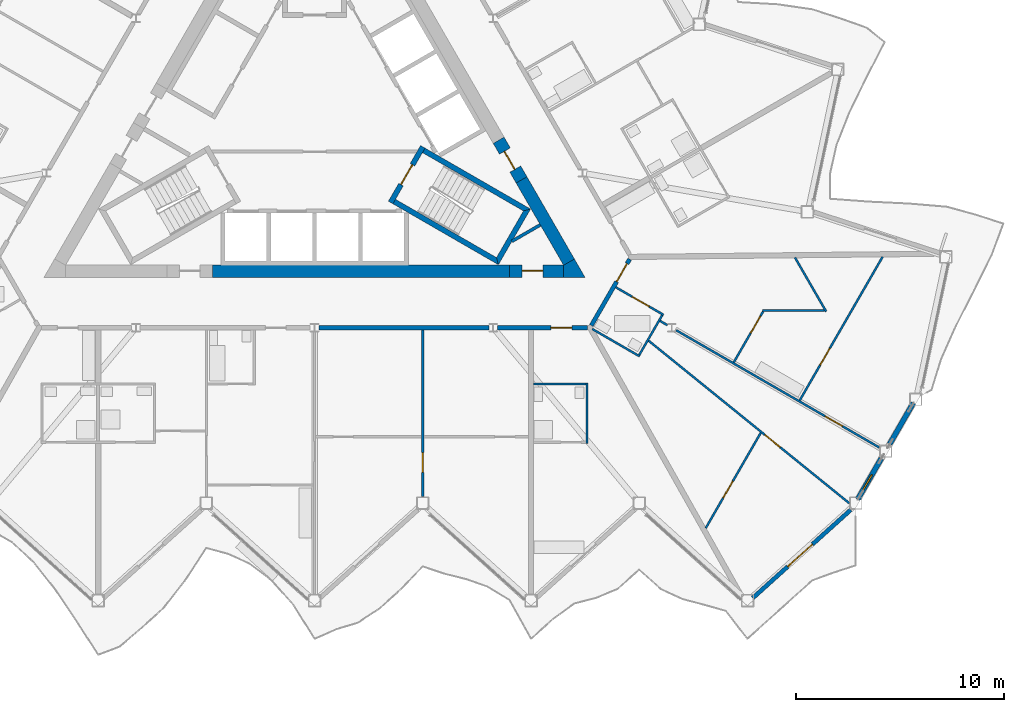
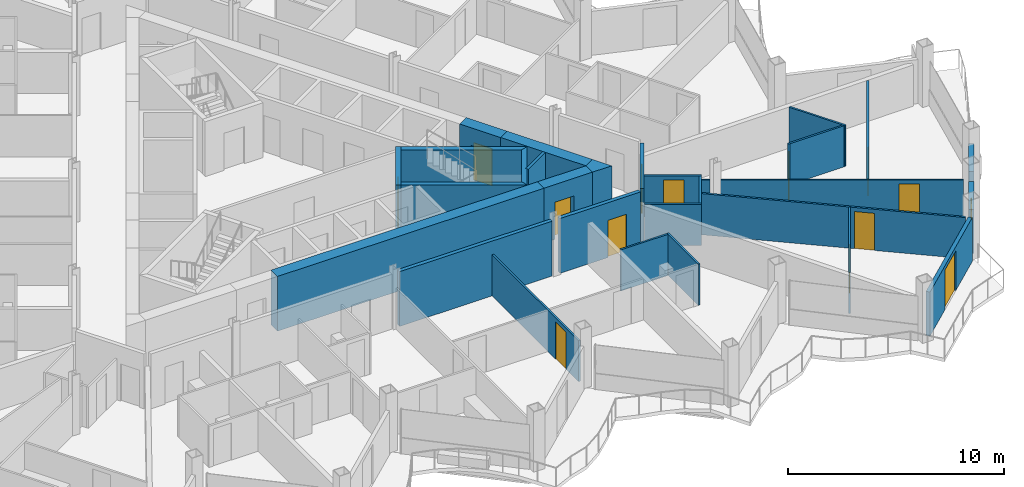
# One storey, part 16 of 27: 30 walls, 13 doors, 1 window, 14 openings.
"""IFC4 building model written with IfcOpenShell, lengths in metres."""

from ifc_helpers import new_model, si_unit, direction, frame, frame_2d, origin, place, context, subcontext, project, spatial, polyline, rectangle, outline, extrude, material, layer, layer_set, type_object, element, fill, save


model = new_model("IFC4")

# Units and contexts
model_context = context("Model", 3, precision=1e-05, world=origin(), true_north=direction((0.0, 1.0)))
body_context = subcontext(model_context, "Body", "Model", "MODEL_VIEW")
ifc_project = project(units=[si_unit("LENGTHUNIT", "METRE"), si_unit("AREAUNIT", "SQUARE_METRE"), si_unit("VOLUMEUNIT", "CUBIC_METRE"), si_unit("PLANEANGLEUNIT", "RADIAN"), si_unit("MASSUNIT", "GRAM", prefix="KILO")], contexts=[model_context])

# Site, building, storey
site_placement = place(None, origin())
site = spatial("IfcSite", under=ifc_project, at=site_placement, CompositionType="ELEMENT")
building_placement = place(site_placement, origin())
building = spatial("IfcBuilding", under=site, at=building_placement, Name="Cormorant Prow Tower", CompositionType="ELEMENT")
storey_placement = place(building_placement, frame((0.0, 0.0, 332.39990234375)))
storey = spatial("IfcBuildingStorey", under=building, at=storey_placement, Name="L74", CompositionType="ELEMENT", Elevation=332.39990234375)

# Walls
ifc_material_1 = material(Name="Gypsum board partition")
ifc_layer_1 = layer(ifc_material_1, 0.14990234375)
ifc_layer_set_1 = layer_set([ifc_layer_1], Name="Gypsum board partition")
wall_type_1 = type_object("IfcWallType", Name="Core partition 150", PredefinedType="PARTITIONING", material=ifc_layer_set_1)
wall_1_placement = place(storey_placement, frame((10.841796875, -4.96728515625, 0.0), z_axis=(0.0, 0.0, 1.0), x_axis=(-0.866098216386, -0.499873863663, 0.0)))
element("IfcWall", 1, at=wall_1_placement, inside=storey, type_object=wall_type_1, Name="Service room partition", PredefinedType="PARTITIONING", context=body_context, shape_type="SweptSolid", body=[
    extrude(rectangle(XDim=1.58203125, YDim=0.14990234375, at=frame_2d((0.791015625, 0.0))), origin(), (0.0, 0.0, 1.0), 3.10009765625),
])
ifc_material_2 = material(Name="Concrete 8000 psi", Category="concrete")
ifc_layer_2 = layer(ifc_material_2, 0.60009765625)
ifc_layer_set_2 = layer_set([ifc_layer_2], Name="Concrete 8000 psi")
wall_type_2 = type_object("IfcWallType", Name="Core shear wall 600", PredefinedType="SHEAR", material=ifc_layer_set_2)
wall_2_placement = place(storey_placement, frame((-4.89208984375, -7.20556640625, 0.0), z_axis=(0.0, 0.0, 1.0), x_axis=(1.0, 0.0, 0.0)))
element("IfcWall", 2, at=wall_2_placement, inside=storey, type_object=wall_type_2, Name="Core wall", PredefinedType="SHEAR", context=body_context, shape_type="SweptSolid", body=[
    extrude(rectangle(XDim=14.2607421875, YDim=0.60009765625, at=frame_2d((7.13037109375, 0.0))), origin(), (0.0, 0.0, 1.0), 3.10009765625),
])
wall_3_placement = place(storey_placement, frame((12.220703125, -6.755615234375, 0.0), z_axis=(0.0, 0.0, 1.0), x_axis=(-0.500020646047, 0.866013483456, 0.0)))
element("IfcWall", 3, at=wall_3_placement, inside=storey, type_object=wall_type_2, Name="Core wall", PredefinedType="SHEAR", context=body_context, shape_type="SweptSolid", body=[
    extrude(rectangle(XDim=4.559326171875, YDim=0.60009765625, at=frame_2d((2.27978515625, 0.0))), origin(), (0.0, 0.0, 1.0), 3.10009765625),
])
wall_4_placement = place(storey_placement, origin())
element("IfcWall", 4, at=wall_4_placement, inside=storey, type_object=wall_type_2, Name="Core wall corner", PredefinedType="SHEAR", context=body_context, shape_type="SweptSolid", body=[
    extrude(outline(polyline([(11.960693359375, -7.505615234375), (11.960693359375, -6.905517578125), (12.48046875, -6.605712890625), (13.0, -7.505615234375), (11.960693359375, -7.505615234375)])), origin(), (0.0, 0.0, 1.0), 3.10009765625),
])

# Wall, opening, door
wall_5_placement = place(storey_placement, frame((9.36865234375, -7.20556640625, 0.0), z_axis=(0.0, 0.0, 1.0), x_axis=(1.0, 0.0, 0.0)))
wall_5 = element("IfcWall", 5, at=wall_5_placement, inside=storey, type_object=wall_type_2, Name="Core wall door panel", PredefinedType="SHEAR", context=body_context, shape_type="SweptSolid", body=[
    extrude(rectangle(XDim=2.592041015625, YDim=0.60009765625, at=frame_2d((1.2958984375, 0.0))), origin(), (0.0, 0.0, 1.0), 3.10009765625),
])
opening_1_placement = place(wall_5_placement, frame((0.60009765625, 0.0, 0.0)))
opening_1 = element("IfcOpeningElement", 6, at=opening_1_placement, cuts=wall_5, Name="Opening L74-C15", PredefinedType="OPENING", context=body_context, shape_type="SweptSolid", body=[
    extrude(rectangle(XDim=1.0, YDim=2.10009765625, at=frame_2d((0.5, 1.050048828125))), frame((0.0, 0.31005859375, 0.0), z_axis=(0.0, -1.0, 0.0), x_axis=(1.0, 0.0, 0.0)), (0.0, 0.0, 1.0), 0.6201171875),
])
ifc_material_3 = material(Name="Painted steel", Category="steel")
door_type_1 = type_object("IfcDoorType", Name="Service door 1000x2100", OperationType="NOTDEFINED", PredefinedType="DOOR", material=ifc_material_3)
door_1_placement = place(opening_1_placement, origin())
door_1 = element("IfcDoor", 7, at=door_1_placement, inside=storey, type_object=door_type_1, Name="Core door, Telecom room", OperationType="SINGLE_SWING_RIGHT", OverallHeight=2.10009765625, OverallWidth=1.0, PredefinedType="DOOR", context=body_context, shape_type="SweptSolid", body=[
    extrude(rectangle(XDim=1.0, YDim=2.10009765625, at=frame_2d((0.5, 1.050048828125))), frame((0.0, 0.05517578125, 0.0), z_axis=(0.0, -1.0, 0.0), x_axis=(1.0, 0.0, 0.0)), (0.0, 0.0, 1.0), 0.050048828125),
])
fill(opening_1, door_1)

wall_6_placement = place(storey_placement, frame((9.94091796875, -2.80712890625, 0.0), z_axis=(0.0, 0.0, 1.0), x_axis=(-0.499994660107, 0.866028486751, 0.0)))
wall_6 = element("IfcWall", 8, at=wall_6_placement, inside=storey, type_object=wall_type_2, Name="Core wall door panel", PredefinedType="SHEAR", context=body_context, shape_type="SweptSolid", body=[
    extrude(rectangle(XDim=2.19970703125, YDim=0.60009765625, at=frame_2d((1.099853515625, 0.0))), origin(), (0.0, 0.0, 1.0), 3.10009765625),
])
opening_2_placement = place(wall_6_placement, frame((0.60009765625, 0.0, 0.0)))
opening_2 = element("IfcOpeningElement", 9, at=opening_2_placement, cuts=wall_6, Name="Opening L74-C17", PredefinedType="OPENING", context=body_context, shape_type="SweptSolid", body=[
    extrude(rectangle(XDim=1.0, YDim=2.10009765625, at=frame_2d((0.5, 1.050048828125))), frame((0.0, 0.31005859375, 0.0), z_axis=(0.0, -1.0, 0.0), x_axis=(1.0, 0.0, 0.0)), (0.0, 0.0, 1.0), 0.6201171875),
])
door_2_placement = place(opening_2_placement, origin())
door_2 = element("IfcDoor", 10, at=door_2_placement, inside=storey, type_object=door_type_1, Name="Core door, Electrical room", OperationType="SINGLE_SWING_LEFT", OverallHeight=2.10009765625, OverallWidth=1.0, PredefinedType="DOOR", context=body_context, shape_type="SweptSolid", body=[
    extrude(rectangle(XDim=1.0, YDim=2.10009765625, at=frame_2d((0.5, 1.050048828125))), frame((0.0, 0.05517578125, 0.0), z_axis=(0.0, -1.0, 0.0), x_axis=(1.0, 0.0, 0.0)), (0.0, 0.0, 1.0), 0.050048828125),
])
fill(opening_2, door_2)

# Wall
ifc_material_4 = material(Name="Gypsum board corridor wall")
ifc_layer_3 = layer(ifc_material_4, 0.199951171875)
ifc_layer_set_3 = layer_set([ifc_layer_3], Name="Gypsum board corridor wall")
wall_type_3 = type_object("IfcWallType", Name="Corridor wall 200", PredefinedType="PARTITIONING", material=ifc_layer_set_3)
wall_7_placement = place(storey_placement, frame((0.207763671875, -9.905517578125, 0.0), z_axis=(0.0, 0.0, 1.0), x_axis=(1.0, 0.0, 0.0)))
element("IfcWall", 11, at=wall_7_placement, inside=storey, type_object=wall_type_3, Name="Corridor wall", PredefinedType="PARTITIONING", context=body_context, shape_type="SweptSolid", body=[
    extrude(rectangle(XDim=8.1630859375, YDim=0.199951171875, at=frame_2d((4.08154296875, 0.0))), origin(), (0.0, 0.0, 1.0), 3.10009765625),
])

# Wall, opening, door
wall_8_placement = place(storey_placement, frame((8.7861328125, -9.905517578125, 0.0), z_axis=(0.0, 0.0, 1.0), x_axis=(1.0, 0.0, 0.0)))
wall_8 = element("IfcWall", 12, at=wall_8_placement, inside=storey, type_object=wall_type_3, Name="Corridor wall", PredefinedType="PARTITIONING", context=body_context, shape_type="SweptSolid", body=[
    extrude(rectangle(XDim=4.31982421875, YDim=0.199951171875, at=frame_2d((2.159912109375, 0.0))), origin(), (0.0, 0.0, 1.0), 3.10009765625),
])
opening_3_placement = place(wall_8_placement, frame((2.566162109375, 0.0, 0.0)))
opening_3 = element("IfcOpeningElement", 13, at=opening_3_placement, cuts=wall_8, Name="Opening L74-F13", PredefinedType="OPENING", context=body_context, shape_type="SweptSolid", body=[
    extrude(rectangle(XDim=1.0, YDim=2.10009765625, at=frame_2d((0.5, 1.050048828125))), frame((0.0, 0.10986328125, 0.0), z_axis=(0.0, -1.0, 0.0), x_axis=(1.0, 0.0, 0.0)), (0.0, 0.0, 1.0), 0.219970703125),
])
ifc_material_5 = material(Name="Timber door leaf", Category="wood")
door_type_2 = type_object("IfcDoorType", Name="Flat or room entrance door 1000x2100", OperationType="NOTDEFINED", PredefinedType="DOOR", material=ifc_material_5)
door_3_placement = place(opening_3_placement, origin())
door_3 = element("IfcDoor", 14, at=door_3_placement, inside=storey, type_object=door_type_2, Name="Studio living, kitchen and sleeping room door", OperationType="SINGLE_SWING_RIGHT", OverallHeight=2.10009765625, OverallWidth=1.0, PredefinedType="DOOR", context=body_context, shape_type="SweptSolid", body=[
    extrude(rectangle(XDim=1.0, YDim=2.10009765625, at=frame_2d((0.5, 1.050048828125))), frame((0.0, 0.02490234375, 0.0), z_axis=(0.0, -1.0, 0.0), x_axis=(1.0, 0.0, 0.0)), (0.0, 0.0, 1.0), 0.050048828125),
])
fill(opening_3, door_3)

wall_9_placement = place(storey_placement, frame((13.29345703125, -9.79736328125, 0.0), z_axis=(0.0, 0.0, 1.0), x_axis=(0.499967746641, 0.866044024469, 0.0)))
wall_9 = element("IfcWall", 15, at=wall_9_placement, inside=storey, type_object=wall_type_3, Name="Corridor wall", PredefinedType="PARTITIONING", context=body_context, shape_type="SweptSolid", body=[
    extrude(rectangle(XDim=3.676025390625, YDim=0.199951171875, at=frame_2d((1.837890625, 0.0))), origin(), (0.0, 0.0, 1.0), 3.10009765625),
])
opening_4_placement = place(wall_9_placement, frame((2.426025390625, 0.0, 0.0)))
opening_4 = element("IfcOpeningElement", 16, at=opening_4_placement, cuts=wall_9, Name="Opening L74-F15", PredefinedType="OPENING", context=body_context, shape_type="SweptSolid", body=[
    extrude(rectangle(XDim=1.0, YDim=2.10009765625, at=frame_2d((0.5, 1.050048828125))), frame((0.0, 0.10986328125, 0.0), z_axis=(0.0, -1.0, 0.0), x_axis=(1.0, 0.0, 0.0)), (0.0, 0.0, 1.0), 0.219970703125),
])
door_4_placement = place(opening_4_placement, origin())
door_4 = element("IfcDoor", 17, at=door_4_placement, inside=storey, type_object=door_type_2, Name="Living room door", OperationType="SINGLE_SWING_RIGHT", OverallHeight=2.10009765625, OverallWidth=1.0, PredefinedType="DOOR", context=body_context, shape_type="SweptSolid", body=[
    extrude(rectangle(XDim=1.0, YDim=2.10009765625, at=frame_2d((0.5, 1.050048828125))), frame((0.0, 0.02490234375, 0.0), z_axis=(0.0, -1.0, 0.0), x_axis=(1.0, 0.0, 0.0)), (0.0, 0.0, 1.0), 0.050048828125),
])
fill(opening_4, door_4)

ifc_material_6 = material(Name="Gypsum board partition")
ifc_layer_4 = layer(ifc_material_6, 0.10009765625)
ifc_layer_set_4 = layer_set([ifc_layer_4], Name="Gypsum board partition")
wall_type_4 = type_object("IfcWallType", Name="Internal partition 100", PredefinedType="PARTITIONING", material=ifc_layer_set_4)
wall_10_placement = place(storey_placement, frame((16.04443359375, -10.531005859375, 0.0), z_axis=(0.0, 0.0, 1.0), x_axis=(0.777141742697, -0.629325600749, 0.0)))
wall_10 = element("IfcWall", 18, at=wall_10_placement, inside=storey, type_object=wall_type_4, Name="Internal partition", PredefinedType="PARTITIONING", context=body_context, shape_type="SweptSolid", body=[
    extrude(rectangle(XDim=12.405517578125, YDim=0.10009765625, at=frame_2d((6.20263671875, 0.0))), origin(), (0.0, 0.0, 1.0), 2.330078125),
])
opening_5_placement = place(wall_10_placement, frame((7.18505859375, 0.0, 0.0)))
opening_5 = element("IfcOpeningElement", 19, at=opening_5_placement, cuts=wall_10, Name="Opening L74-F20", PredefinedType="OPENING", context=body_context, shape_type="SweptSolid", body=[
    extrude(rectangle(XDim=0.949951171875, YDim=2.10009765625, at=frame_2d((0.47509765625, 1.050048828125))), frame((0.0, 0.06005859375, 0.0), z_axis=(0.0, -1.0, 0.0), x_axis=(1.0, 0.0, 0.0)), (0.0, 0.0, 1.0), 0.1201171875),
])
ifc_material_7 = material(Name="Timber door leaf", Category="wood")
door_type_3 = type_object("IfcDoorType", Name="Bathroom door 950x2100", OperationType="NOTDEFINED", PredefinedType="DOOR", material=ifc_material_7)
door_5_placement = place(opening_5_placement, origin())
door_5 = element("IfcDoor", 20, at=door_5_placement, inside=storey, type_object=door_type_3, Name="Bedroom door", OperationType="SINGLE_SWING_LEFT", OverallHeight=2.10009765625, OverallWidth=0.949951171875, PredefinedType="DOOR", context=body_context, shape_type="SweptSolid", body=[
    extrude(rectangle(XDim=0.949951171875, YDim=2.10009765625, at=frame_2d((0.47509765625, 1.050048828125))), frame((0.0, 0.02490234375, 0.0), z_axis=(0.0, -1.0, 0.0), x_axis=(1.0, 0.0, 0.0)), (0.0, 0.0, 1.0), 0.050048828125),
])
fill(opening_5, door_5)

wall_11_placement = place(storey_placement, frame((17.364501953125, -10.025390625, 0.0), z_axis=(0.0, 0.0, 1.0), x_axis=(0.866021046153, -0.500007547564, 0.0)))
wall_11 = element("IfcWall", 21, at=wall_11_placement, inside=storey, type_object=wall_type_4, Name="Internal partition", PredefinedType="PARTITIONING", context=body_context, shape_type="SweptSolid", body=[
    extrude(rectangle(XDim=11.267333984375, YDim=0.10009765625, at=frame_2d((5.6337890625, 0.0))), origin(), (0.0, 0.0, 1.0), 2.330078125),
])
opening_6_placement = place(wall_11_placement, frame((8.263916015625, 0.0, 0.0)))
opening_6 = element("IfcOpeningElement", 22, at=opening_6_placement, cuts=wall_11, Name="Opening L74-F19", PredefinedType="OPENING", context=body_context, shape_type="SweptSolid", body=[
    extrude(rectangle(XDim=0.949951171875, YDim=2.10009765625, at=frame_2d((0.47509765625, 1.050048828125))), frame((0.0, 0.06005859375, 0.0), z_axis=(0.0, -1.0, 0.0), x_axis=(1.0, 0.0, 0.0)), (0.0, 0.0, 1.0), 0.1201171875),
])
door_6_placement = place(opening_6_placement, origin())
door_6 = element("IfcDoor", 23, at=door_6_placement, inside=storey, type_object=door_type_3, Name="Dining room door", OperationType="SINGLE_SWING_LEFT", OverallHeight=2.10009765625, OverallWidth=0.949951171875, PredefinedType="DOOR", context=body_context, shape_type="SweptSolid", body=[
    extrude(rectangle(XDim=0.949951171875, YDim=2.10009765625, at=frame_2d((0.47509765625, 1.050048828125))), frame((0.0, 0.02490234375, 0.0), z_axis=(0.0, -1.0, 0.0), x_axis=(1.0, 0.0, 0.0)), (0.0, 0.0, 1.0), 0.050048828125),
])
fill(opening_6, door_6)

wall_12_placement = place(storey_placement, frame((5.1962890625, -18.016845703125, 0.0), z_axis=(0.0, 0.0, 1.0), x_axis=(0.0, 1.0, 0.0)))
wall_12 = element("IfcWall", 24, at=wall_12_placement, inside=storey, type_object=wall_type_4, Name="Internal partition", PredefinedType="PARTITIONING", context=body_context, shape_type="SweptSolid", body=[
    extrude(rectangle(XDim=8.01123046875, YDim=0.10009765625, at=frame_2d((4.005615234375, 0.0))), origin(), (0.0, 0.0, 1.0), 2.330078125),
])
opening_7_placement = place(wall_12_placement, frame((1.158447265625, 0.0, 0.0)))
opening_7 = element("IfcOpeningElement", 25, at=opening_7_placement, cuts=wall_12, Name="Opening L74-F10", PredefinedType="OPENING", context=body_context, shape_type="SweptSolid", body=[
    extrude(rectangle(XDim=0.949951171875, YDim=2.10009765625, at=frame_2d((0.47509765625, 1.050048828125))), frame((0.0, 0.06005859375, 0.0), z_axis=(0.0, -1.0, 0.0), x_axis=(1.0, 0.0, 0.0)), (0.0, 0.0, 1.0), 0.1201171875),
])
door_7_placement = place(opening_7_placement, origin())
door_7 = element("IfcDoor", 26, at=door_7_placement, inside=storey, type_object=door_type_3, Name="Bedroom door", OperationType="SINGLE_SWING_RIGHT", OverallHeight=2.10009765625, OverallWidth=0.949951171875, PredefinedType="DOOR", context=body_context, shape_type="SweptSolid", body=[
    extrude(rectangle(XDim=0.949951171875, YDim=2.10009765625, at=frame_2d((0.47509765625, 1.050048828125))), frame((0.0, 0.02490234375, 0.0), z_axis=(0.0, -1.0, 0.0), x_axis=(1.0, 0.0, 0.0)), (0.0, 0.0, 1.0), 0.050048828125),
])
fill(opening_7, door_7)

wall_13_placement = place(storey_placement, frame((23.30078125, -13.39501953125, 0.0), z_axis=(0.0, 0.0, 1.0), x_axis=(0.500017325895, 0.866015400443, 0.0)))
wall_13 = element("IfcWall", 27, at=wall_13_placement, inside=storey, type_object=wall_type_4, Name="Internal partition", PredefinedType="PARTITIONING", context=body_context, shape_type="SweptSolid", body=[
    extrude(rectangle(XDim=7.955322265625, YDim=0.10009765625, at=frame_2d((3.9775390625, 0.0))), origin(), (0.0, 0.0, 1.0), 2.330078125),
])
opening_8_placement = place(wall_13_placement, frame((1.951416015625, 0.0, 0.0)))
opening_8 = element("IfcOpeningElement", 28, at=opening_8_placement, cuts=wall_13, Name="Opening L74-F18", PredefinedType="OPENING", context=body_context, shape_type="SweptSolid", body=[
    extrude(rectangle(XDim=0.949951171875, YDim=2.10009765625, at=frame_2d((0.47509765625, 1.050048828125))), frame((0.0, 0.06005859375, 0.0), z_axis=(0.0, -1.0, 0.0), x_axis=(1.0, 0.0, 0.0)), (0.0, 0.0, 1.0), 0.1201171875),
])
door_8_placement = place(opening_8_placement, origin())
door_8 = element("IfcDoor", 29, at=door_8_placement, inside=storey, type_object=door_type_3, Name="Kitchen door", OperationType="SINGLE_SWING_LEFT", OverallHeight=2.10009765625, OverallWidth=0.949951171875, PredefinedType="DOOR", context=body_context, shape_type="SweptSolid", body=[
    extrude(rectangle(XDim=0.949951171875, YDim=2.10009765625, at=frame_2d((0.47509765625, 1.050048828125))), frame((0.0, 0.02490234375, 0.0), z_axis=(0.0, -1.0, 0.0), x_axis=(1.0, 0.0, 0.0)), (0.0, 0.0, 1.0), 0.050048828125),
])
fill(opening_8, door_8)

wall_14_placement = place(storey_placement, frame((18.786865234375, -19.52880859375, 0.0), z_axis=(0.0, 0.0, 1.0), x_axis=(0.499986503906, 0.866033195618, 0.0)))
wall_14 = element("IfcWall", 30, at=wall_14_placement, inside=storey, type_object=wall_type_4, Name="Internal partition", PredefinedType="PARTITIONING", context=body_context, shape_type="SweptSolid", body=[
    extrude(rectangle(XDim=5.282470703125, YDim=0.10009765625, at=frame_2d((2.64111328125, 0.0))), origin(), (0.0, 0.0, 1.0), 2.330078125),
])
opening_9_placement = place(wall_14_placement, frame((1.661865234375, 0.0, 0.0)))
opening_9 = element("IfcOpeningElement", 31, at=opening_9_placement, cuts=wall_14, Name="Opening L74-F21", PredefinedType="OPENING", context=body_context, shape_type="SweptSolid", body=[
    extrude(rectangle(XDim=0.949951171875, YDim=2.10009765625, at=frame_2d((0.47509765625, 1.050048828125))), frame((0.0, 0.06005859375, 0.0), z_axis=(0.0, -1.0, 0.0), x_axis=(1.0, 0.0, 0.0)), (0.0, 0.0, 1.0), 0.1201171875),
])
door_9_placement = place(opening_9_placement, origin())
door_9 = element("IfcDoor", 32, at=door_9_placement, inside=storey, type_object=door_type_3, Name="Bedroom door", OperationType="SINGLE_SWING_RIGHT", OverallHeight=2.10009765625, OverallWidth=0.949951171875, PredefinedType="DOOR", context=body_context, shape_type="SweptSolid", body=[
    extrude(rectangle(XDim=0.949951171875, YDim=2.10009765625, at=frame_2d((0.47509765625, 1.050048828125))), frame((0.0, 0.02490234375, 0.0), z_axis=(0.0, -1.0, 0.0), x_axis=(1.0, 0.0, 0.0)), (0.0, 0.0, 1.0), 0.050048828125),
])
fill(opening_9, door_9)

# Walls
wall_15_placement = place(storey_placement, frame((23.071533203125, -6.533203125, 0.0), z_axis=(0.0, 0.0, 1.0), x_axis=(0.500009026289, -0.866020192391, 0.0)))
element("IfcWall", 33, at=wall_15_placement, inside=storey, type_object=wall_type_4, Name="Internal partition", PredefinedType="PARTITIONING", context=body_context, shape_type="SweptSolid", body=[
    extrude(rectangle(XDim=2.9990234375, YDim=0.10009765625, at=frame_2d((1.49951171875, 0.0))), origin(), (0.0, 0.0, 1.0), 2.330078125),
])
wall_16_placement = place(storey_placement, frame((21.51513671875, -9.087158203125, 0.0), z_axis=(0.0, 0.0, 1.0), x_axis=(1.0, 0.0, 0.0)))
element("IfcWall", 34, at=wall_16_placement, inside=storey, type_object=wall_type_4, Name="Internal partition", PredefinedType="PARTITIONING", context=body_context, shape_type="SweptSolid", body=[
    extrude(rectangle(XDim=2.98095703125, YDim=0.10009765625, at=frame_2d((1.490478515625, 0.0))), origin(), (0.0, 0.0, 1.0), 2.330078125),
])

# Wall, opening, door
wall_17_placement = place(storey_placement, frame((20.1337890625, -11.56640625, 0.0), z_axis=(0.0, 0.0, 1.0), x_axis=(0.499947857008, 0.866055506462, 0.0)))
wall_17 = element("IfcWall", 35, at=wall_17_placement, inside=storey, type_object=wall_type_4, Name="Internal partition", PredefinedType="PARTITIONING", context=body_context, shape_type="SweptSolid", body=[
    extrude(rectangle(XDim=2.812744140625, YDim=0.10009765625, at=frame_2d((1.40625, 0.0))), origin(), (0.0, 0.0, 1.0), 2.330078125),
])
opening_10_placement = place(wall_17_placement, frame((1.613037109375, 0.0, 0.0)))
opening_10 = element("IfcOpeningElement", 36, at=opening_10_placement, cuts=wall_17, Name="Opening L74-F17", PredefinedType="OPENING", context=body_context, shape_type="SweptSolid", body=[
    extrude(rectangle(XDim=0.949951171875, YDim=2.10009765625, at=frame_2d((0.47509765625, 1.050048828125))), frame((0.0, 0.06005859375, 0.0), z_axis=(0.0, -1.0, 0.0), x_axis=(1.0, 0.0, 0.0)), (0.0, 0.0, 1.0), 0.1201171875),
])
door_10_placement = place(opening_10_placement, origin())
door_10 = element("IfcDoor", 37, at=door_10_placement, inside=storey, type_object=door_type_3, Name="Living room door", OperationType="SINGLE_SWING_RIGHT", OverallHeight=2.10009765625, OverallWidth=0.949951171875, PredefinedType="DOOR", context=body_context, shape_type="SweptSolid", body=[
    extrude(rectangle(XDim=0.949951171875, YDim=2.10009765625, at=frame_2d((0.47509765625, 1.050048828125))), frame((0.0, 0.02490234375, 0.0), z_axis=(0.0, -1.0, 0.0), x_axis=(1.0, 0.0, 0.0)), (0.0, 0.0, 1.0), 0.050048828125),
])
fill(opening_10, door_10)

# Walls
wall_18_placement = place(storey_placement, frame((13.092529296875, -15.45556640625, 0.0), z_axis=(0.0, 0.0, 1.0), x_axis=(0.0, 1.0, 0.0)))
element("IfcWall", 38, at=wall_18_placement, inside=storey, type_object=wall_type_4, Name="Internal partition", PredefinedType="PARTITIONING", context=body_context, shape_type="SweptSolid", body=[
    extrude(rectangle(XDim=2.89990234375, YDim=0.10009765625, at=frame_2d((1.449951171875, 0.0))), origin(), (0.0, 0.0, 1.0), 2.330078125),
])
wall_19_placement = place(storey_placement, frame((10.517578125, -12.605712890625, 0.0), z_axis=(0.0, 0.0, 1.0), x_axis=(1.0, 0.0, 0.0)))
element("IfcWall", 39, at=wall_19_placement, inside=storey, type_object=wall_type_4, Name="Internal partition", PredefinedType="PARTITIONING", context=body_context, shape_type="SweptSolid", body=[
    extrude(rectangle(XDim=2.52490234375, YDim=0.10009765625, at=frame_2d((1.262451171875, 0.0))), origin(), (0.0, 0.0, 1.0), 2.330078125),
])

# Wall, opening, door
wall_20_placement = place(storey_placement, frame((14.467529296875, -7.963623046875, 0.0), z_axis=(0.0, 0.0, 1.0), x_axis=(0.865989200783, -0.500062700197, 0.0)))
wall_20 = element("IfcWall", 40, at=wall_20_placement, inside=storey, type_object=wall_type_4, Name="Internal partition", PredefinedType="PARTITIONING", context=body_context, shape_type="SweptSolid", body=[
    extrude(rectangle(XDim=2.650146484375, YDim=0.10009765625, at=frame_2d((1.3251953125, 0.0))), origin(), (0.0, 0.0, 1.0), 2.330078125),
])
opening_11_placement = place(wall_20_placement, frame((0.904541015625, 0.0, 0.0)))
opening_11 = element("IfcOpeningElement", 41, at=opening_11_placement, cuts=wall_20, Name="Opening L74-F16", PredefinedType="OPENING", context=body_context, shape_type="SweptSolid", body=[
    extrude(rectangle(XDim=0.949951171875, YDim=2.10009765625, at=frame_2d((0.47509765625, 1.050048828125))), frame((0.0, 0.06005859375, 0.0), z_axis=(0.0, -1.0, 0.0), x_axis=(1.0, 0.0, 0.0)), (0.0, 0.0, 1.0), 0.1201171875),
])
door_11_placement = place(opening_11_placement, origin())
door_11 = element("IfcDoor", 42, at=door_11_placement, inside=storey, type_object=door_type_3, Name="Living room door", OperationType="SINGLE_SWING_RIGHT", OverallHeight=2.10009765625, OverallWidth=0.949951171875, PredefinedType="DOOR", context=body_context, shape_type="SweptSolid", body=[
    extrude(rectangle(XDim=0.949951171875, YDim=2.10009765625, at=frame_2d((0.47509765625, 1.050048828125))), frame((0.0, 0.02490234375, 0.0), z_axis=(0.0, -1.0, 0.0), x_axis=(1.0, 0.0, 0.0)), (0.0, 0.0, 1.0), 0.050048828125),
])
fill(opening_11, door_11)

# Walls
wall_21_placement = place(storey_placement, frame((13.339111328125, -9.968017578125, 0.0), z_axis=(0.0, 0.0, 1.0), x_axis=(0.866036909293, -0.499980071345, 0.0)))
element("IfcWall", 43, at=wall_21_placement, inside=storey, type_object=wall_type_4, Name="Internal partition", PredefinedType="PARTITIONING", context=body_context, shape_type="SweptSolid", body=[
    extrude(rectangle(XDim=2.625, YDim=0.10009765625, at=frame_2d((1.3125, 0.0))), origin(), (0.0, 0.0, 1.0), 2.330078125),
])
wall_22_placement = place(storey_placement, frame((15.59423828125, -11.21240234375, 0.0), z_axis=(0.0, 0.0, 1.0), x_axis=(0.499898558967, 0.866083962871, 0.0)))
element("IfcWall", 44, at=wall_22_placement, inside=storey, type_object=wall_type_4, Name="Internal partition", PredefinedType="PARTITIONING", context=body_context, shape_type="SweptSolid", body=[
    extrude(rectangle(XDim=2.2001953125, YDim=0.10009765625, at=frame_2d((1.10009765625, 0.0))), origin(), (0.0, 0.0, 1.0), 2.330078125),
])
wall_23_placement = place(storey_placement, frame((16.593994140625, -9.58056640625, 0.0), z_axis=(0.0, 0.0, 1.0), x_axis=(0.866036909293, -0.499980071345, 0.0)))
element("IfcWall", 45, at=wall_23_placement, inside=storey, type_object=wall_type_4, Name="Internal partition", PredefinedType="PARTITIONING", context=body_context, shape_type="SweptSolid", body=[
    extrude(rectangle(XDim=0.41015625, YDim=0.10009765625, at=frame_2d((0.205078125, 0.0))), origin(), (0.0, 0.0, 1.0), 2.330078125),
])
ifc_material_8 = material(Name="Concrete 8000 psi", Category="concrete")
ifc_layer_5 = layer(ifc_material_8, 0.25)
ifc_layer_set_5 = layer_set([ifc_layer_5], Name="Concrete 8000 psi")
wall_type_5 = type_object("IfcWallType", Name="Stair wall 250", PredefinedType="SHEAR", material=ifc_layer_set_5)
wall_24_placement = place(storey_placement, origin())
element("IfcWall", 46, at=wall_24_placement, inside=storey, type_object=wall_type_5, Name="Stair ST2 enclosure wall (flank)", PredefinedType="SHEAR", context=body_context, shape_type="SweptSolid", body=[
    extrude(outline(polyline([(3.76318359375, -3.95556640625), (8.82958984375, -6.880615234375), (8.738037109375, -6.5390625), (3.88818359375, -3.739013671875), (3.76318359375, -3.95556640625)])), origin(), (0.0, 0.0, 1.0), 3.10009765625),
])
wall_25_placement = place(storey_placement, origin())
element("IfcWall", 47, at=wall_25_placement, inside=storey, type_object=wall_type_5, Name="Stair ST2 enclosure wall (end)", PredefinedType="SHEAR", context=body_context, shape_type="SweptSolid", body=[
    extrude(outline(polyline([(8.82958984375, -6.880615234375), (10.37353515625, -4.206298828125), (10.031982421875, -4.2978515625), (8.738037109375, -6.5390625), (8.82958984375, -6.880615234375)])), origin(), (0.0, 0.0, 1.0), 3.10009765625),
])
wall_26_placement = place(storey_placement, origin())
element("IfcWall", 48, at=wall_26_placement, inside=storey, type_object=wall_type_5, Name="Stair ST2 enclosure wall (flank)", PredefinedType="SHEAR", context=body_context, shape_type="SweptSolid", body=[
    extrude(outline(polyline([(10.031982421875, -4.2978515625), (10.37353515625, -4.206298828125), (5.30712890625, -1.28125), (5.18212890625, -1.497802734375), (10.031982421875, -4.2978515625)])), origin(), (0.0, 0.0, 1.0), 3.10009765625),
])

# Wall, opening, door
wall_27_placement = place(storey_placement, frame((3.655029296875, -3.89306640625, 0.0), z_axis=(0.0, 0.0, 1.0), x_axis=(0.499982516597, 0.866035497597, 0.0)))
wall_27 = element("IfcWall", 49, at=wall_27_placement, inside=storey, type_object=wall_type_5, Name="Stair ST2 door wall", PredefinedType="SHEAR", context=body_context, shape_type="SweptSolid", body=[
    extrude(rectangle(XDim=3.087890625, YDim=0.25, at=frame_2d((1.5439453125, 0.0))), origin(), (0.0, 0.0, 1.0), 3.10009765625),
])
opening_12_placement = place(wall_27_placement, frame((0.993896484375, 0.0, 0.0)))
opening_12 = element("IfcOpeningElement", 50, at=opening_12_placement, cuts=wall_27, Name="Opening L74-C13", PredefinedType="OPENING", context=body_context, shape_type="SweptSolid", body=[
    extrude(rectangle(XDim=1.10009765625, YDim=2.10009765625, at=frame_2d((0.550048828125, 1.050048828125))), frame((0.0, 0.135009765625, 0.0), z_axis=(0.0, -1.0, 0.0), x_axis=(1.0, 0.0, 0.0)), (0.0, 0.0, 1.0), 0.27001953125),
])
ifc_material_9 = material(Name="Painted steel", Category="steel")
door_type_4 = type_object("IfcDoorType", Name="Stair door 1100x2100", OperationType="NOTDEFINED", PredefinedType="DOOR", material=ifc_material_9)
door_12_placement = place(opening_12_placement, origin())
door_12 = element("IfcDoor", 51, at=door_12_placement, inside=storey, type_object=door_type_4, Name="Stair ST2 door", OperationType="SINGLE_SWING_RIGHT", OverallHeight=2.10009765625, OverallWidth=1.10009765625, PredefinedType="DOOR", context=body_context, shape_type="SweptSolid", body=[
    extrude(rectangle(XDim=1.10009765625, YDim=2.10009765625, at=frame_2d((0.550048828125, 1.050048828125))), frame((0.0, 0.02490234375, 0.0), z_axis=(0.0, -1.0, 0.0), x_axis=(1.0, 0.0, 0.0)), (0.0, 0.0, 1.0), 0.050048828125),
])
fill(opening_12, door_12)

# Wall, opening, window
ifc_material_10 = material(Name="Terracotta", Category="masonry")
ifc_layer_6 = layer(ifc_material_10, 0.25)
ifc_layer_set_6 = layer_set([ifc_layer_6], Name="Terracotta")
wall_type_6 = type_object("IfcWallType", Name="Terracotta bay wall 250", PredefinedType="SOLIDWALL", material=ifc_layer_set_6)
wall_28_placement = place(storey_placement, frame((26.090087890625, -18.139404296875, 0.0), z_axis=(0.0, 0.0, 1.0), x_axis=(0.500046963369, 0.865998287773, 0.0)))
wall_28 = element("IfcWall", 52, at=wall_28_placement, inside=storey, type_object=wall_type_6, Name="Terracotta bay wall ESE00", PredefinedType="SOLIDWALL", context=body_context, shape_type="SweptSolid", body=[
    extrude(rectangle(XDim=2.257568359375, YDim=0.25, at=frame_2d((1.12890625, 0.0))), origin(), (0.0, 0.0, 1.0), 2.488037109375),
])
opening_13_placement = place(wall_28_placement, frame((0.449951171875, 0.0, 1.60009765625)))
opening_13 = element("IfcOpeningElement", 53, at=opening_13_placement, cuts=wall_28, Name="Opening WN7", PredefinedType="OPENING", context=body_context, shape_type="SweptSolid", body=[
    extrude(rectangle(XDim=0.89990234375, YDim=0.60009765625, at=frame_2d((0.449951171875, 0.300048828125))), frame((0.0, 0.135009765625, 0.0), z_axis=(0.0, -1.0, 0.0), x_axis=(1.0, 0.0, 0.0)), (0.0, 0.0, 1.0), 0.27001953125),
])
ifc_material_11 = material(Name="Aluminium 6063-T6", Category="aluminium")
window_type = type_object("IfcWindowType", Name="Corner bay window 900x600", PartitioningType="SINGLE_PANEL", PredefinedType="WINDOW", material=ifc_material_11)
window_placement = place(opening_13_placement, origin())
window = element("IfcWindow", 54, at=window_placement, inside=storey, type_object=window_type, Name="Corner bay window ESE00", OverallHeight=0.60009765625, OverallWidth=0.89990234375, PartitioningType="SINGLE_PANEL", PredefinedType="WINDOW", context=body_context, shape_type="SweptSolid", body=[
    extrude(rectangle(XDim=0.89990234375, YDim=0.60009765625, at=frame_2d((0.449951171875, 0.300048828125))), frame((0.0, 0.030029296875, 0.0), z_axis=(0.0, -1.0, 0.0), x_axis=(1.0, 0.0, 0.0)), (0.0, 0.0, 1.0), 0.06005859375),
])
fill(opening_13, window)

# Wall
wall_29_placement = place(storey_placement, frame((27.620849609375, -15.488037109375, 0.0), z_axis=(0.0, 0.0, 1.0), x_axis=(0.49996174997, 0.866047486323, 0.0)))
element("IfcWall", 55, at=wall_29_placement, inside=storey, type_object=wall_type_6, Name="Terracotta bay wall ESE01", PredefinedType="SOLIDWALL", context=body_context, shape_type="SweptSolid", body=[
    extrude(rectangle(XDim=2.266845703125, YDim=0.25, at=frame_2d((1.13330078125, 0.0))), origin(), (0.0, 0.0, 1.0), 2.488037109375),
])

# Wall, opening, door
ifc_material_12 = material(Name="Terracotta", Category="masonry")
ifc_layer_7 = layer(ifc_material_12, 0.199951171875)
ifc_layer_set_7 = layer_set([ifc_layer_7], Name="Terracotta")
wall_type_7 = type_object("IfcWallType", Name="Terracotta jamb wall 200", PredefinedType="SOLIDWALL", material=ifc_layer_set_7)
wall_30_placement = place(storey_placement, frame((21.040771484375, -22.891845703125, 0.0), z_axis=(0.0, 0.0, 1.0), x_axis=(0.743129180176, 0.669147981818, 0.0)))
wall_30 = element("IfcWall", 56, at=wall_30_placement, inside=storey, type_object=wall_type_7, Name="Terracotta jamb wall S09", PredefinedType="SOLIDWALL", context=body_context, shape_type="SweptSolid", body=[
    extrude(rectangle(XDim=6.32958984375, YDim=0.199951171875, at=frame_2d((3.164794921875, 0.0))), origin(), (0.0, 0.0, 1.0), 2.488037109375),
])
opening_14_placement = place(wall_30_placement, frame((2.26220703125, 0.0, 0.0)))
opening_14 = element("IfcOpeningElement", 57, at=opening_14_placement, cuts=wall_30, Name="Opening ED74.05", PredefinedType="OPENING", context=body_context, shape_type="SweptSolid", body=[
    extrude(rectangle(XDim=1.60009765625, YDim=2.25, at=frame_2d((0.800048828125, 1.125))), frame((0.0, 0.10986328125, 0.0), z_axis=(0.0, -1.0, 0.0), x_axis=(1.0, 0.0, 0.0)), (0.0, 0.0, 1.0), 0.219970703125),
])
ifc_material_13 = material(Name="Aluminium 6063-T6", Category="aluminium")
door_type_5 = type_object("IfcDoorType", Name="Balcony door 1600x2250", OperationType="DOUBLE_DOOR_SINGLE_SWING", PredefinedType="DOOR", material=ifc_material_13)
door_13_placement = place(opening_14_placement, origin())
door_13 = element("IfcDoor", 58, at=door_13_placement, inside=storey, type_object=door_type_5, Name="Balcony door S09 ED74.05", OperationType="DOUBLE_DOOR_SINGLE_SWING", OverallHeight=2.25, OverallWidth=1.60009765625, PredefinedType="DOOR", context=body_context, shape_type="SweptSolid", body=[
    extrude(rectangle(XDim=1.60009765625, YDim=2.25, at=frame_2d((0.800048828125, 1.125))), frame((0.0, 0.02490234375, 0.0), z_axis=(0.0, -1.0, 0.0), x_axis=(1.0, 0.0, 0.0)), (0.0, 0.0, 1.0), 0.050048828125),
])
fill(opening_14, door_13)

save(model, "model.ifc")
